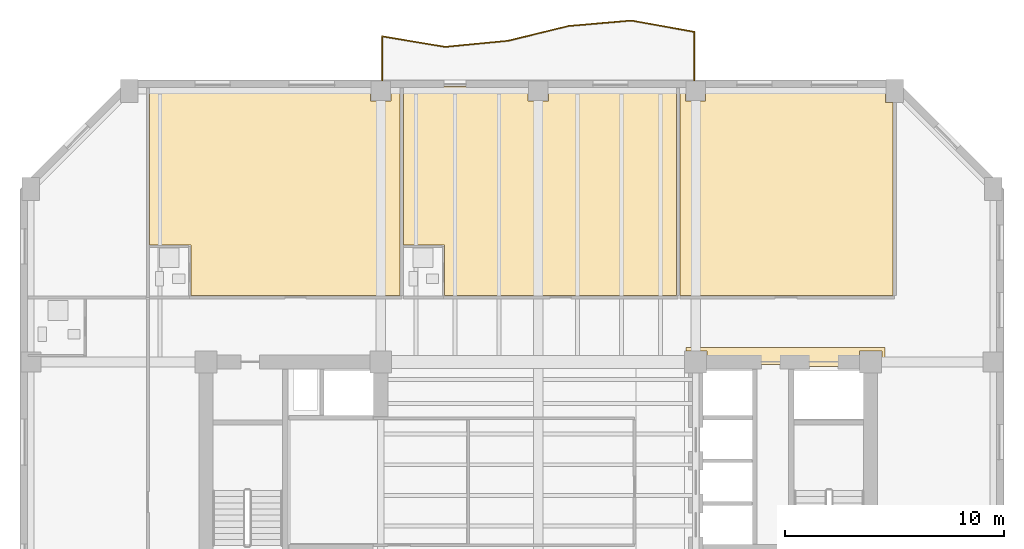
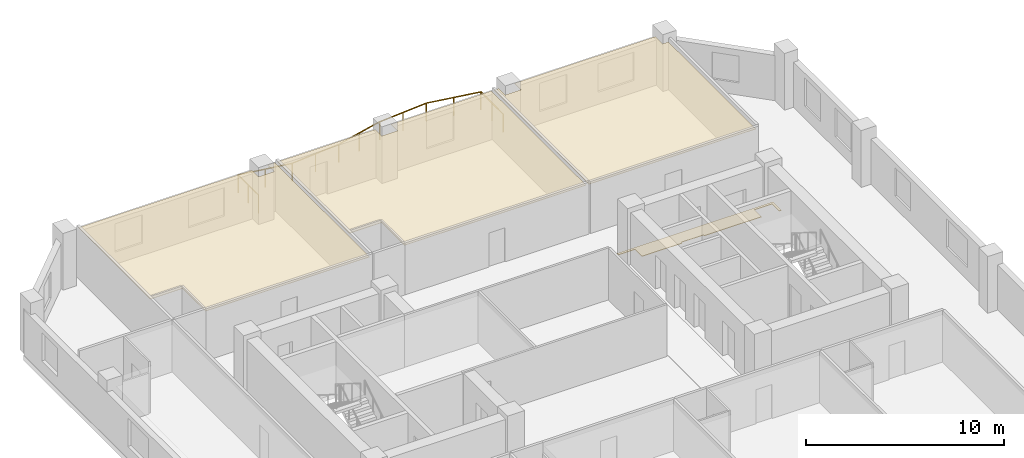
# One storey, part 9 of 10: 4 coverings, 1 railing.
"""IFC4 building model written with IfcOpenShell, lengths in metres."""

from ifc_helpers import new_model, si_unit, direction, frame, origin, origin_2d, place, context, subcontext, project, spatial, polyline, circle, outline, extrude, material, layer, layer_set, type_object, element, save


model = new_model("IFC4")

# Units and contexts
model_context = context("Model", 3, precision=1e-05, world=origin(), true_north=direction((0.0, 1.0)))
body_context = subcontext(model_context, "Body", "Model", "MODEL_VIEW")
ifc_project = project(units=[si_unit("LENGTHUNIT", "METRE"), si_unit("AREAUNIT", "SQUARE_METRE"), si_unit("VOLUMEUNIT", "CUBIC_METRE"), si_unit("PLANEANGLEUNIT", "RADIAN"), si_unit("MASSUNIT", "GRAM", prefix="KILO")], contexts=[model_context])

# Site, building, storey
site_placement = place(None, origin())
site = spatial("IfcSite", under=ifc_project, at=site_placement, CompositionType="ELEMENT")
building_placement = place(site_placement, origin())
building = spatial("IfcBuilding", under=site, at=building_placement, Name="Kranthara Brick Stack", CompositionType="ELEMENT")
storey_placement = place(building_placement, frame((0.0, 0.0, 123.800048828125)))
storey = spatial("IfcBuildingStorey", under=building, at=storey_placement, Name="L30", CompositionType="ELEMENT", Elevation=123.800048828125)

# Coverings
ifc_material_1 = material(Name="Perforated mineral-fibre acoustic ceiling tile", Category="other")
ifc_layer_1 = layer(ifc_material_1, 0.02490234375)
ifc_layer_set_1 = layer_set([ifc_layer_1], Name="Perforated mineral-fibre acoustic ceiling tile")
covering_type_1 = type_object("IfcCoveringType", Name="COV-CEIL-ACOUSTIC", PredefinedType="CEILING", material=ifc_layer_set_1)
covering_1_placement = place(storey_placement, frame((0.0, 0.0, 2.929931640625)))
element("IfcCovering", 1, at=covering_1_placement, inside=storey, type_object=covering_type_1, Name="L30 Room L30-05 Corner Junior Suite Acoustic Ceiling", PredefinedType="CEILING", context=body_context, shape_type="SweptSolid", body=[
    extrude(outline(polyline([(21.680908203125, 46.199951171875), (21.680908203125, 36.6298828125), (12.110107421875, 36.6298828125), (12.110107421875, 38.93994140625), (10.22998046875, 38.93994140625), (10.22998046875, 46.199951171875), (20.340087890625, 46.199951171875), (20.340087890625, 45.5400390625), (21.260009765625, 45.5400390625), (21.260009765625, 46.199951171875), (21.680908203125, 46.199951171875)])), origin(), (0.0, 0.0, 1.0), 0.02490234375),
])
covering_2_placement = place(storey_placement, frame((0.0, 0.0, 2.929931640625)))
element("IfcCovering", 2, at=covering_2_placement, inside=storey, type_object=covering_type_1, Name="L30 Room L30-06 Corner Junior Suite Acoustic Ceiling", PredefinedType="CEILING", context=body_context, shape_type="SweptSolid", body=[
    extrude(outline(polyline([(34.31591796875, 46.199951171875), (34.31591796875, 36.6298828125), (23.720947265625, 36.6298828125), (23.720947265625, 38.93994140625), (21.841064453125, 38.93994140625), (21.841064453125, 46.199951171875), (27.5400390625, 46.199951171875), (27.5400390625, 45.5400390625), (28.4599609375, 45.5400390625), (28.4599609375, 46.199951171875), (34.31591796875, 46.199951171875)])), origin(), (0.0, 0.0, 1.0), 0.02490234375),
])
covering_3_placement = place(storey_placement, frame((0.0, 0.0, 2.929931640625)))
element("IfcCovering", 3, at=covering_3_placement, inside=storey, type_object=covering_type_1, Name="L30 L30 Guest Sky Lounge 7 Acoustic Ceiling", PredefinedType="CEILING", context=body_context, shape_type="SweptSolid", body=[
    extrude(outline(polyline([(44.219970703125, 36.6298828125), (34.47607421875, 36.6298828125), (34.47607421875, 46.199951171875), (34.739990234375, 46.199951171875), (34.739990234375, 45.5400390625), (35.659912109375, 45.5400390625), (35.659912109375, 46.199951171875), (43.889892578125, 46.199951171875), (43.889892578125, 45.465087890625), (44.219970703125, 45.465087890625), (44.219970703125, 36.6298828125)])), origin(), (0.0, 0.0, 1.0), 0.02490234375),
])
ifc_material_2 = material(Name="Honed terrazzo and porcelain floor finish", Category="stone")
ifc_layer_2 = layer(ifc_material_2, 0.030029296875)
ifc_layer_set_2 = layer_set([ifc_layer_2], Name="Honed terrazzo and porcelain floor finish")
covering_type_2 = type_object("IfcCoveringType", Name="COV-FLOR-STONE", PredefinedType="FLOORING", material=ifc_layer_set_2)
covering_4_placement = place(storey_placement, origin())
element("IfcCovering", 4, at=covering_4_placement, inside=storey, type_object=covering_type_2, Name="L30 Lift Lobby Stone Flooring", PredefinedType="FLOORING", context=body_context, shape_type="SweptSolid", body=[
    extrude(outline(polyline([(43.7099609375, 33.39990234375), (43.7099609375, 34.110107421875), (42.68994140625, 34.110107421875), (42.68994140625, 33.39990234375), (39.35009765625, 33.39990234375), (39.35009765625, 33.47998046875), (38.050048828125, 33.47998046875), (38.050048828125, 33.39990234375), (35.7099609375, 33.39990234375), (35.7099609375, 34.110107421875), (34.75, 34.110107421875), (34.75, 34.25), (43.85009765625, 34.25), (43.85009765625, 33.39990234375), (43.7099609375, 33.39990234375)])), origin(), (0.0, 0.0, 1.0), 0.030029296875),
])

# Railing
ifc_material_3 = material(Name="Bronze anodised aluminium and laminated glass balustrade", Category="aluminium")
railing_type = type_object("IfcRailingType", Name="RL-BALC-1120", PredefinedType="BALUSTRADE", material=ifc_material_3)
railing_placement = place(storey_placement, frame((20.860107421875, 46.43994140625, 0.0)))
element("IfcRailing", 5, at=railing_placement, inside=storey, type_object=railing_type, Name="L30 North Rippling Balcony Balustrade", PredefinedType="BALUSTRADE", context=body_context, shape_type="SweptSolid", body=[
    extrude(circle(Radius=0.02392578125, at=origin_2d()), frame((0.0, 0.0, 1.09619140625), z_axis=(-0.000118990956, 0.999999992921, 0.0), x_axis=(-0.999999992921, -0.000118990956, 0.0)), (0.0, 0.0, 1.0), 2.0517578125),
    extrude(circle(Radius=0.02392578125, at=origin_2d()), frame((-0.000244140625, 2.0517578125, 1.09619140625), z_axis=(0.986314721752, -0.164873495914, 0.0), x_axis=(0.164873495914, 0.986314721752, 0.0)), (0.0, 0.0, 1.0), 2.920166015625),
    extrude(circle(Radius=0.02392578125, at=origin_2d()), frame((2.8798828125, 1.5703125, 1.09619140625), z_axis=(0.995336692502, 0.096461746611, 0.0), x_axis=(-0.096461746611, 0.995336692502, 0.0)), (0.0, 0.0, 1.0), 2.892822265625),
    extrude(circle(Radius=0.02392578125, at=origin_2d()), frame((5.75927734375, 1.849365234375, 1.09619140625), z_axis=(0.971442880929, 0.237273532222, 0.0), x_axis=(-0.237273532222, 0.971442880929, 0.0)), (0.0, 0.0, 1.0), 2.851318359375),
    extrude(circle(Radius=0.02392578125, at=origin_2d()), frame((8.529052734375, 2.52587890625, 1.09619140625), z_axis=(0.996293142626, 0.086023101292, 0.0), x_axis=(-0.086023101292, 0.996293142626, 0.0)), (0.0, 0.0, 1.0), 2.883544921875),
    extrude(circle(Radius=0.02392578125, at=origin_2d()), frame((11.40185546875, 2.77392578125, 1.09619140625), z_axis=(0.984169056718, -0.177232242549, 0.0), x_axis=(0.177232242549, 0.984169056718, 0.0)), (0.0, 0.0, 1.0), 2.924560546875),
    extrude(circle(Radius=0.02392578125, at=origin_2d()), frame((14.280029296875, 2.255615234375, 1.09619140625), z_axis=(-0.000108236822, -0.999999994142, 0.0), x_axis=(0.999999994142, -0.000108236822, 0.0)), (0.0, 0.0, 1.0), 2.255615234375),
    extrude(circle(Radius=0.02099609375, at=origin_2d()), origin(), (0.0, 0.0, 1.0), 1.072021484375),
    extrude(circle(Radius=0.02099609375, at=origin_2d()), frame((0.0, 1.02587890625, 0.0)), (0.0, 0.0, 1.0), 1.072021484375),
    extrude(circle(Radius=0.02099609375, at=origin_2d()), frame((-0.000244140625, 2.0517578125, 0.0)), (0.0, 0.0, 1.0), 1.072021484375),
    extrude(circle(Radius=0.02099609375, at=origin_2d()), frame((1.43994140625, 1.81103515625, 0.0)), (0.0, 0.0, 1.0), 1.072021484375),
    extrude(circle(Radius=0.02099609375, at=origin_2d()), frame((2.8798828125, 1.5703125, 0.0)), (0.0, 0.0, 1.0), 1.072021484375),
    extrude(circle(Radius=0.02099609375, at=origin_2d()), frame((4.319580078125, 1.7099609375, 0.0)), (0.0, 0.0, 1.0), 1.072021484375),
    extrude(circle(Radius=0.02099609375, at=origin_2d()), frame((5.75927734375, 1.849365234375, 0.0)), (0.0, 0.0, 1.0), 1.072021484375),
    extrude(circle(Radius=0.02099609375, at=origin_2d()), frame((7.14404296875, 2.1875, 0.0)), (0.0, 0.0, 1.0), 1.072021484375),
    extrude(circle(Radius=0.02099609375, at=origin_2d()), frame((8.529052734375, 2.52587890625, 0.0)), (0.0, 0.0, 1.0), 1.072021484375),
    extrude(circle(Radius=0.02099609375, at=origin_2d()), frame((9.96533203125, 2.64990234375, 0.0)), (0.0, 0.0, 1.0), 1.072021484375),
    extrude(circle(Radius=0.02099609375, at=origin_2d()), frame((11.40185546875, 2.77392578125, 0.0)), (0.0, 0.0, 1.0), 1.072021484375),
    extrude(circle(Radius=0.02099609375, at=origin_2d()), frame((12.8408203125, 2.5146484375, 0.0)), (0.0, 0.0, 1.0), 1.072021484375),
    extrude(circle(Radius=0.02099609375, at=origin_2d()), frame((14.280029296875, 2.255615234375, 0.0)), (0.0, 0.0, 1.0), 1.072021484375),
    extrude(circle(Radius=0.02099609375, at=origin_2d()), frame((14.27978515625, 1.1279296875, 0.0)), (0.0, 0.0, 1.0), 1.072021484375),
    extrude(circle(Radius=0.02099609375, at=origin_2d()), frame((14.27978515625, 0.0, 0.0)), (0.0, 0.0, 1.0), 1.072021484375),
])

save(model, "model.ifc")
